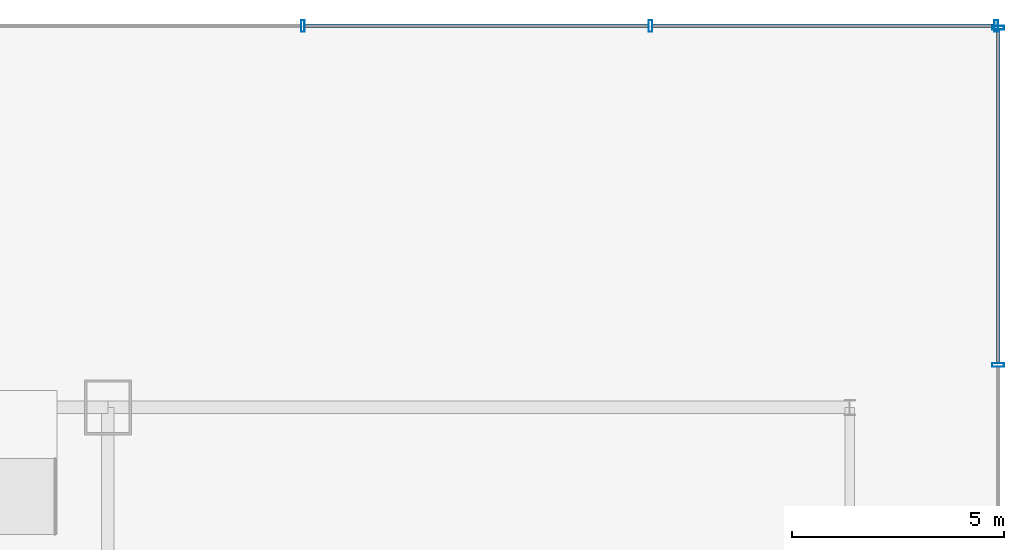
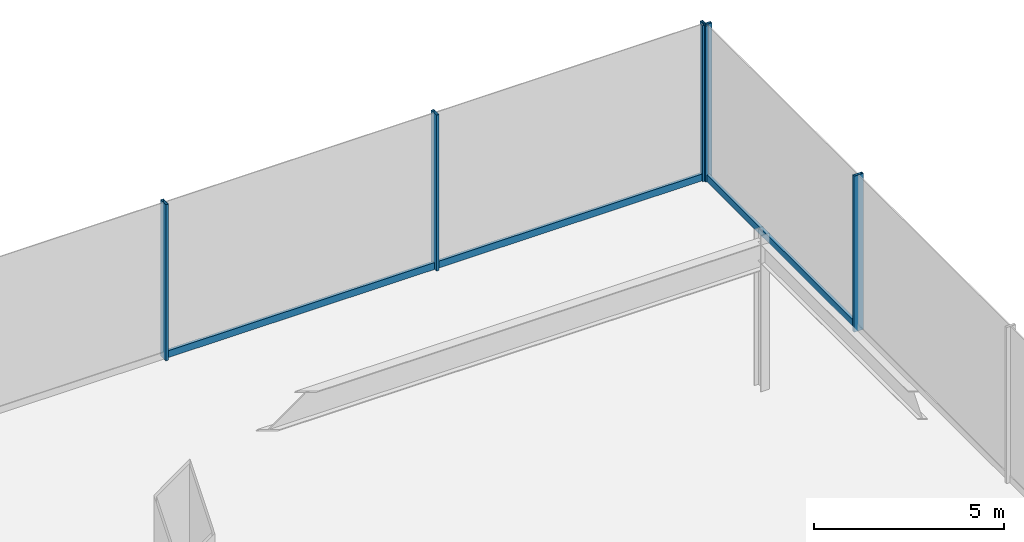
# One storey, part 26 of 40: 8 members, 2 elements without a shape of their own.
"""IFC4 building model written with IfcOpenShell, lengths in metres."""

from ifc_helpers import new_model, si_unit, derived_unit, direction, frame, origin, origin_2d, place, context, subcontext, project, spatial, hollow_rectangle, extrude, source, transform, mapped, material, material_profile, profile_set, type_object, element, aggregate, save


model = new_model("IFC4")

# Units and contexts
model_context = context("Model", 3, precision=1e-05, world=origin(), true_north=direction((0.0, 1.0)))
body_context = subcontext(model_context, "Body", "Model", "MODEL_VIEW")
ifc_project = project(units=[si_unit("LENGTHUNIT", "METRE"), si_unit("AREAUNIT", "SQUARE_METRE"), si_unit("VOLUMEUNIT", "CUBIC_METRE"), si_unit("PLANEANGLEUNIT", "RADIAN"), si_unit("MASSUNIT", "GRAM", prefix="KILO"), derived_unit("THERMALTRANSMITTANCEUNIT", [(si_unit("POWERUNIT", "WATT"), 1), (si_unit("LENGTHUNIT", "METRE"), -2), (si_unit("THERMODYNAMICTEMPERATUREUNIT", "KELVIN"), -1)])], contexts=[model_context])

# Site, building, storey
site_placement = place(None, origin())
site = spatial("IfcSite", under=ifc_project, at=site_placement, CompositionType="ELEMENT")
building_placement = place(site_placement, origin())
building = spatial("IfcBuilding", under=site, at=building_placement, Name="Skarnbrae Concourse Arena and Tower", CompositionType="ELEMENT")
storey_placement = place(building_placement, frame((0.0, 0.0, 6.0)))
storey = spatial("IfcBuildingStorey", under=building, at=storey_placement, Name="L01", CompositionType="ELEMENT", Elevation=6.0)

# Curtain wall, members
ifc_material = material(Name="Bronze anodised aluminium 6063-T6", Category="aluminium")
curtain_wall_type = type_object("IfcCurtainWallType", Name="CW-SYS-01-PODIUM", PredefinedType="USERDEFINED", material=ifc_material)
curtain_wall_1_placement = place(storey_placement, origin())
curtain_wall_1 = element("IfcCurtainWall", 1, at=curtain_wall_1_placement, inside=storey, type_object=curtain_wall_type, Name="L01 Unitised curtain wall CW-L01-E", ObjectType="UNITISED CURTAIN WALL", PredefinedType="USERDEFINED")
ifc_material_profile_1 = material_profile(ifc_material, hollow_rectangle(XDim=0.0849609375, YDim=0.280029296875, WallThickness=0.006103515625, at=origin_2d()), Name="ALU-MULL-85X280")
ifc_profile_set_1 = profile_set([ifc_material_profile_1], Name="Bronze anodised aluminium 6063-T6")
member_type_1 = type_object("IfcMemberType", Name="CWM-CW-01", PredefinedType="MULLION", material=ifc_profile_set_1)
shared_shape_1 = source(origin(), body_context, "Body", "SweptSolid", [
    extrude(hollow_rectangle(XDim=0.0849609375, YDim=0.280029296875, WallThickness=0.006103515625, at=origin_2d()), origin(), (0.0, 0.0, 1.0), 5.0),
])
member_1_placement = place(storey_placement, frame((82.0, 48.0, 0.0), z_axis=(0.0, 0.0, 1.0), x_axis=(0.0, 1.0, 0.0)))
member_1 = element("IfcMember", 2, at=member_1_placement, type_object=member_type_1, Name="CW-L01-E Mullion 7", PredefinedType="MULLION", context=body_context, shape_type="MappedRepresentation", body=[
    mapped(shared_shape_1, transform((0.0, 0.0, 0.0))),
])
member_2_placement = place(storey_placement, frame((82.0, 55.95751953125, 0.0), z_axis=(0.0, 0.0, 1.0), x_axis=(0.0, 1.0, 0.0)))
member_2 = element("IfcMember", 3, at=member_2_placement, type_object=member_type_1, Name="CW-L01-E Mullion 8", PredefinedType="MULLION", context=body_context, shape_type="MappedRepresentation", body=[
    mapped(shared_shape_1, transform((0.0, 0.0, 0.0))),
])

curtain_wall_2_placement = place(storey_placement, origin())
curtain_wall_2 = element("IfcCurtainWall", 4, at=curtain_wall_2_placement, inside=storey, type_object=curtain_wall_type, Name="L01 Unitised curtain wall CW-L01-N", ObjectType="UNITISED CURTAIN WALL", PredefinedType="USERDEFINED")
member_3_placement = place(storey_placement, frame((81.95751953125, 56.0, 0.0), z_axis=(0.0, 0.0, 1.0), x_axis=(-1.0, 0.0, 0.0)))
member_3 = element("IfcMember", 5, at=member_3_placement, type_object=member_type_1, Name="CW-L01-N Mullion 1", PredefinedType="MULLION", context=body_context, shape_type="MappedRepresentation", body=[
    mapped(shared_shape_1, transform((0.0, 0.0, 0.0))),
])
member_4_placement = place(storey_placement, frame((73.800048828125, 56.0, 0.0), z_axis=(0.0, 0.0, 1.0), x_axis=(-1.0, 0.0, 0.0)))
member_4 = element("IfcMember", 6, at=member_4_placement, type_object=member_type_1, Name="CW-L01-N Mullion 2", PredefinedType="MULLION", context=body_context, shape_type="MappedRepresentation", body=[
    mapped(shared_shape_1, transform((0.0, 0.0, 0.0))),
])
member_5_placement = place(storey_placement, frame((65.60009765625, 56.0, 0.0), z_axis=(0.0, 0.0, 1.0), x_axis=(-1.0, 0.0, 0.0)))
member_5 = element("IfcMember", 7, at=member_5_placement, type_object=member_type_1, Name="CW-L01-N Mullion 3", PredefinedType="MULLION", context=body_context, shape_type="MappedRepresentation", body=[
    mapped(shared_shape_1, transform((0.0, 0.0, 0.0))),
])

# Member
ifc_material_profile_2 = material_profile(ifc_material, hollow_rectangle(XDim=0.0849609375, YDim=0.219970703125, WallThickness=0.006103515625, at=origin_2d()), Name="ALU-TRAN-85X220")
ifc_profile_set_2 = profile_set([ifc_material_profile_2], Name="Bronze anodised aluminium 6063-T6")
member_type_2 = type_object("IfcMemberType", Name="CWT-CW-01", PredefinedType="USERDEFINED", material=ifc_profile_set_2)
shared_shape_2 = source(origin(), body_context, "Body", "SweptSolid", [
    extrude(hollow_rectangle(XDim=0.0849609375, YDim=0.219970703125, WallThickness=0.006103515625, at=origin_2d()), origin(), (0.0, 0.0, 1.0), 7.87255859375),
])
member_6_placement = place(storey_placement, frame((82.0, 48.04248046875, 0.110107421875), z_axis=(0.0, 1.0, 0.0), x_axis=(-1.0, 0.0, 0.0)))
member_6 = element("IfcMember", 8, at=member_6_placement, type_object=member_type_2, Name="CW-L01-E Transom 7", ObjectType="TRANSOM", PredefinedType="USERDEFINED", context=body_context, shape_type="MappedRepresentation", body=[
    mapped(shared_shape_2, transform((0.0, 0.0, 0.0))),
])

aggregate(curtain_wall_1, [member_1, member_2, member_6])

shared_shape_3 = source(origin(), body_context, "Body", "SweptSolid", [
    extrude(hollow_rectangle(XDim=0.0849609375, YDim=0.219970703125, WallThickness=0.006103515625, at=origin_2d()), origin(), (0.0, 0.0, 1.0), 8.072509765625),
])
member_7_placement = place(storey_placement, frame((81.9150390625, 56.0, 0.110107421875), z_axis=(-1.0, 0.0, 0.0), x_axis=(0.0, -1.0, 0.0)))
member_7 = element("IfcMember", 9, at=member_7_placement, type_object=member_type_2, Name="CW-L01-N Transom 1", ObjectType="TRANSOM", PredefinedType="USERDEFINED", context=body_context, shape_type="MappedRepresentation", body=[
    mapped(shared_shape_3, transform((0.0, 0.0, 0.0))),
])

shared_shape_4 = source(origin(), body_context, "Body", "SweptSolid", [
    extrude(hollow_rectangle(XDim=0.0849609375, YDim=0.219970703125, WallThickness=0.006103515625, at=origin_2d()), origin(), (0.0, 0.0, 1.0), 8.114990234375),
])
member_8_placement = place(storey_placement, frame((73.757568359375, 56.0, 0.110107421875), z_axis=(-1.0, 0.0, 0.0), x_axis=(0.0, -1.0, 0.0)))
member_8 = element("IfcMember", 10, at=member_8_placement, type_object=member_type_2, Name="CW-L01-N Transom 2", ObjectType="TRANSOM", PredefinedType="USERDEFINED", context=body_context, shape_type="MappedRepresentation", body=[
    mapped(shared_shape_4, transform((0.0, 0.0, 0.0))),
])

aggregate(curtain_wall_2, [member_3, member_4, member_5, member_7, member_8])

save(model, "model.ifc")
